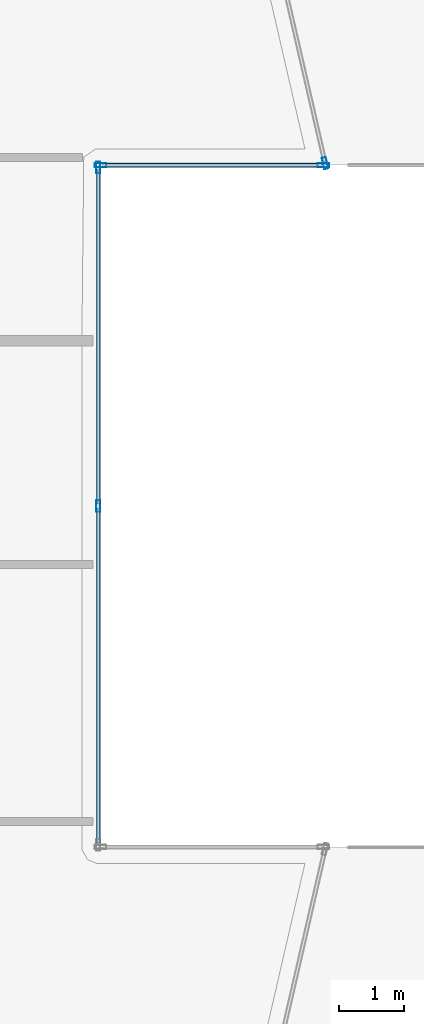
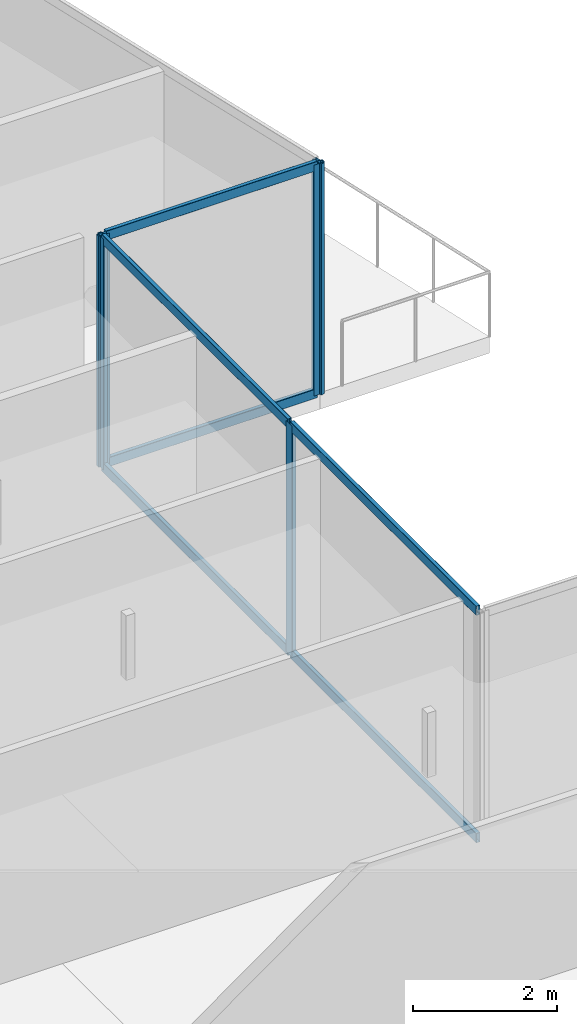
# One storey, part 24 of 44: 11 members, 3 elements without a shape of their own.
"""IFC4 building model written with IfcOpenShell, lengths in metres."""

from ifc_helpers import new_model, si_unit, direction, frame, origin, origin_2d, place, context, subcontext, project, spatial, hollow_rectangle, extrude, material, layer, layer_set, material_profile, profile_set, type_object, element, aggregate, save


model = new_model("IFC4")

# Units and contexts
model_context = context("Model", 3, precision=1e-05, world=origin(), true_north=direction((0.0, 1.0)))
body_context = subcontext(model_context, "Body", "Model", "MODEL_VIEW")
ifc_project = project(units=[si_unit("LENGTHUNIT", "METRE"), si_unit("AREAUNIT", "SQUARE_METRE"), si_unit("VOLUMEUNIT", "CUBIC_METRE"), si_unit("PLANEANGLEUNIT", "RADIAN"), si_unit("MASSUNIT", "GRAM", prefix="KILO")], contexts=[model_context])

# Site, building, storey
site_placement = place(None, origin())
site = spatial("IfcSite", under=ifc_project, at=site_placement, CompositionType="ELEMENT")
building_placement = place(site_placement, origin())
building = spatial("IfcBuilding", under=site, at=building_placement, Name="Qorvath Tower", CompositionType="ELEMENT")
storey_placement = place(building_placement, frame((0.0, 0.0, 57.60009765625)))
storey = spatial("IfcBuildingStorey", under=building, at=storey_placement, Name="L12", CompositionType="ELEMENT", Elevation=57.60009765625)

# Curtain wall, members
ifc_material_1 = material(Name="Anodised aluminium and triple low-E glass", Category="aluminium")
ifc_layer = layer(ifc_material_1, 0.179931640625)
ifc_layer_set = layer_set([ifc_layer], Name="CW-SYS-2")
curtain_wall_type = type_object("IfcCurtainWallType", Name="CW-SYS-2", PredefinedType="NOTDEFINED", material=ifc_layer_set)
curtain_wall_1_placement = place(storey_placement, origin())
curtain_wall_1 = element("IfcCurtainWall", 1, at=curtain_wall_1_placement, inside=storey, type_object=curtain_wall_type, Name="Curtain Wall CW-2 CW-T-L12-9.1", PredefinedType="NOTDEFINED")
ifc_material_2 = material(Name="Anodised aluminium 6063-T6", Category="aluminium")
ifc_material_profile_1 = material_profile(ifc_material_2, hollow_rectangle(XDim=0.06494140625, YDim=0.179931640625, WallThickness=0.00341796875, InnerFilletRadius=0.00341796875, OuterFilletRadius=0.007080078125, at=origin_2d()), Name="CWM 180x65")
ifc_profile_set_1 = profile_set([ifc_material_profile_1], Name="Anodised aluminium 6063-T6")
member_type_1 = type_object("IfcMemberType", Name="CWM-180", PredefinedType="MULLION", material=ifc_profile_set_1)
member_1_placement = place(storey_placement, frame((3.219482421875, 0.0, 0.0), z_axis=(0.0, 0.0, 1.0), x_axis=(-1.0, 0.0, 0.0)))
member_1 = element("IfcMember", 2, at=member_1_placement, type_object=member_type_1, Name="CW-2 mullion 2", PredefinedType="MULLION", context=body_context, shape_type="SweptSolid", body=[
    extrude(hollow_rectangle(XDim=0.06494140625, YDim=0.179931640625, WallThickness=0.00341796875, InnerFilletRadius=0.00341796875, OuterFilletRadius=0.007080078125, at=origin_2d()), origin(), (0.0, 0.0, 1.0), 3.919921875),
])
member_2_placement = place(storey_placement, frame((3.219482421875, 5.238037109375, 0.0), z_axis=(0.0, 0.0, 1.0), x_axis=(-1.0, 0.0, 0.0)))
member_2 = element("IfcMember", 3, at=member_2_placement, type_object=member_type_1, Name="CW-2 mullion 3", PredefinedType="MULLION", context=body_context, shape_type="SweptSolid", body=[
    extrude(hollow_rectangle(XDim=0.06494140625, YDim=0.179931640625, WallThickness=0.00341796875, InnerFilletRadius=0.00341796875, OuterFilletRadius=0.007080078125, at=origin_2d()), origin(), (0.0, 0.0, 1.0), 3.919921875),
])

curtain_wall_2_placement = place(storey_placement, origin())
curtain_wall_2 = element("IfcCurtainWall", 4, at=curtain_wall_2_placement, inside=storey, type_object=curtain_wall_type, Name="Curtain Wall CW-2 CW-T-L12-10.1", PredefinedType="NOTDEFINED")
member_3_placement = place(storey_placement, frame((3.251953125, 5.2705078125, 0.0), z_axis=(0.0, 0.0, 1.0), x_axis=(0.0, 1.0, 0.0)))
member_3 = element("IfcMember", 5, at=member_3_placement, type_object=member_type_1, Name="CW-2 mullion 1", PredefinedType="MULLION", context=body_context, shape_type="SweptSolid", body=[
    extrude(hollow_rectangle(XDim=0.06494140625, YDim=0.179931640625, WallThickness=0.00341796875, InnerFilletRadius=0.00341796875, OuterFilletRadius=0.007080078125, at=origin_2d()), origin(), (0.0, 0.0, 1.0), 3.919921875),
])
member_4_placement = place(storey_placement, frame((6.700439453125, 5.2705078125, 0.0), z_axis=(0.0, 0.0, 1.0), x_axis=(0.0, 1.0, 0.0)))
member_4 = element("IfcMember", 6, at=member_4_placement, type_object=member_type_1, Name="CW-2 mullion 2", PredefinedType="MULLION", context=body_context, shape_type="SweptSolid", body=[
    extrude(hollow_rectangle(XDim=0.06494140625, YDim=0.179931640625, WallThickness=0.00341796875, InnerFilletRadius=0.00341796875, OuterFilletRadius=0.007080078125, at=origin_2d()), origin(), (0.0, 0.0, 1.0), 3.919921875),
])

# Curtain wall, member
curtain_wall_3_placement = place(storey_placement, origin())
curtain_wall_3 = element("IfcCurtainWall", 7, at=curtain_wall_3_placement, inside=storey, type_object=curtain_wall_type, Name="Curtain Wall CW-2 CW-T-L12-11.1", PredefinedType="NOTDEFINED")
member_5_placement = place(storey_placement, frame((6.7255859375, 5.30224609375, 0.0), z_axis=(0.0, 0.0, 1.0), x_axis=(-0.974426885424, -0.224704795149, 0.0)))
member_5 = element("IfcMember", 8, at=member_5_placement, type_object=member_type_1, Name="CW-2 mullion 1", PredefinedType="MULLION", context=body_context, shape_type="SweptSolid", body=[
    extrude(hollow_rectangle(XDim=0.06494140625, YDim=0.179931640625, WallThickness=0.00341796875, InnerFilletRadius=0.00341796875, OuterFilletRadius=0.007080078125, at=origin_2d()), origin(), (0.0, 0.0, 1.0), 3.919921875),
])
aggregate(curtain_wall_3, [member_5])

# Member
ifc_material_3 = material(Name="Anodised aluminium 6063-T6", Category="aluminium")
ifc_material_profile_2 = material_profile(ifc_material_3, hollow_rectangle(XDim=0.06494140625, YDim=0.159912109375, WallThickness=0.00341796875, InnerFilletRadius=0.00341796875, OuterFilletRadius=0.007080078125, at=origin_2d()), Name="CWT 160x65")
ifc_profile_set_2 = profile_set([ifc_material_profile_2], Name="Anodised aluminium 6063-T6")
member_type_2 = type_object("IfcMemberType", Name="CWT-160", PredefinedType="USERDEFINED", material=ifc_profile_set_2)
member_6_placement = place(storey_placement, frame((3.219482421875, -5.20556640625, 0.032470703125), z_axis=(0.0, 1.0, 0.0), x_axis=(-1.0, 0.0, 0.0)))
member_6 = element("IfcMember", 9, at=member_6_placement, type_object=member_type_2, Name="CW-2 transom 1.1", ObjectType="TRANSOM", PredefinedType="USERDEFINED", context=body_context, shape_type="SweptSolid", body=[
    extrude(hollow_rectangle(XDim=0.06494140625, YDim=0.159912109375, WallThickness=0.00341796875, InnerFilletRadius=0.00341796875, OuterFilletRadius=0.007080078125, at=origin_2d()), origin(), (0.0, 0.0, 1.0), 5.173095703125),
])

member_7_placement = place(storey_placement, frame((3.219482421875, -5.20556640625, 3.887451171875), z_axis=(0.0, 1.0, 0.0), x_axis=(-1.0, 0.0, 0.0)))
member_7 = element("IfcMember", 10, at=member_7_placement, type_object=member_type_2, Name="CW-2 transom 1.2", ObjectType="TRANSOM", PredefinedType="USERDEFINED", context=body_context, shape_type="SweptSolid", body=[
    extrude(hollow_rectangle(XDim=0.06494140625, YDim=0.159912109375, WallThickness=0.00341796875, InnerFilletRadius=0.00341796875, OuterFilletRadius=0.007080078125, at=origin_2d()), origin(), (0.0, 0.0, 1.0), 5.173095703125),
])

member_8_placement = place(storey_placement, frame((3.219482421875, 0.032470703125, 0.032470703125), z_axis=(0.0, 1.0, 0.0), x_axis=(-1.0, 0.0, 0.0)))
member_8 = element("IfcMember", 11, at=member_8_placement, type_object=member_type_2, Name="CW-2 transom 2.1", ObjectType="TRANSOM", PredefinedType="USERDEFINED", context=body_context, shape_type="SweptSolid", body=[
    extrude(hollow_rectangle(XDim=0.06494140625, YDim=0.159912109375, WallThickness=0.00341796875, InnerFilletRadius=0.00341796875, OuterFilletRadius=0.007080078125, at=origin_2d()), origin(), (0.0, 0.0, 1.0), 5.173095703125),
])

member_9_placement = place(storey_placement, frame((3.219482421875, 0.032470703125, 3.887451171875), z_axis=(0.0, 1.0, 0.0), x_axis=(-1.0, 0.0, 0.0)))
member_9 = element("IfcMember", 12, at=member_9_placement, type_object=member_type_2, Name="CW-2 transom 2.2", ObjectType="TRANSOM", PredefinedType="USERDEFINED", context=body_context, shape_type="SweptSolid", body=[
    extrude(hollow_rectangle(XDim=0.06494140625, YDim=0.159912109375, WallThickness=0.00341796875, InnerFilletRadius=0.00341796875, OuterFilletRadius=0.007080078125, at=origin_2d()), origin(), (0.0, 0.0, 1.0), 5.173095703125),
])

aggregate(curtain_wall_1, [member_1, member_2, member_6, member_7, member_8, member_9])

member_10_placement = place(storey_placement, frame((3.284423828125, 5.2705078125, 0.032470703125), z_axis=(1.0, 0.0, 0.0), x_axis=(0.0, 1.0, 0.0)))
member_10 = element("IfcMember", 13, at=member_10_placement, type_object=member_type_2, Name="CW-2 transom 1.1", ObjectType="TRANSOM", PredefinedType="USERDEFINED", context=body_context, shape_type="SweptSolid", body=[
    extrude(hollow_rectangle(XDim=0.06494140625, YDim=0.159912109375, WallThickness=0.00341796875, InnerFilletRadius=0.00341796875, OuterFilletRadius=0.007080078125, at=origin_2d()), origin(), (0.0, 0.0, 1.0), 3.383544921875),
])

member_11_placement = place(storey_placement, frame((3.284423828125, 5.2705078125, 3.887451171875), z_axis=(1.0, 0.0, 0.0), x_axis=(0.0, 1.0, 0.0)))
member_11 = element("IfcMember", 14, at=member_11_placement, type_object=member_type_2, Name="CW-2 transom 1.2", ObjectType="TRANSOM", PredefinedType="USERDEFINED", context=body_context, shape_type="SweptSolid", body=[
    extrude(hollow_rectangle(XDim=0.06494140625, YDim=0.159912109375, WallThickness=0.00341796875, InnerFilletRadius=0.00341796875, OuterFilletRadius=0.007080078125, at=origin_2d()), origin(), (0.0, 0.0, 1.0), 3.383544921875),
])

aggregate(curtain_wall_2, [member_3, member_4, member_10, member_11])

save(model, "model.ifc")
